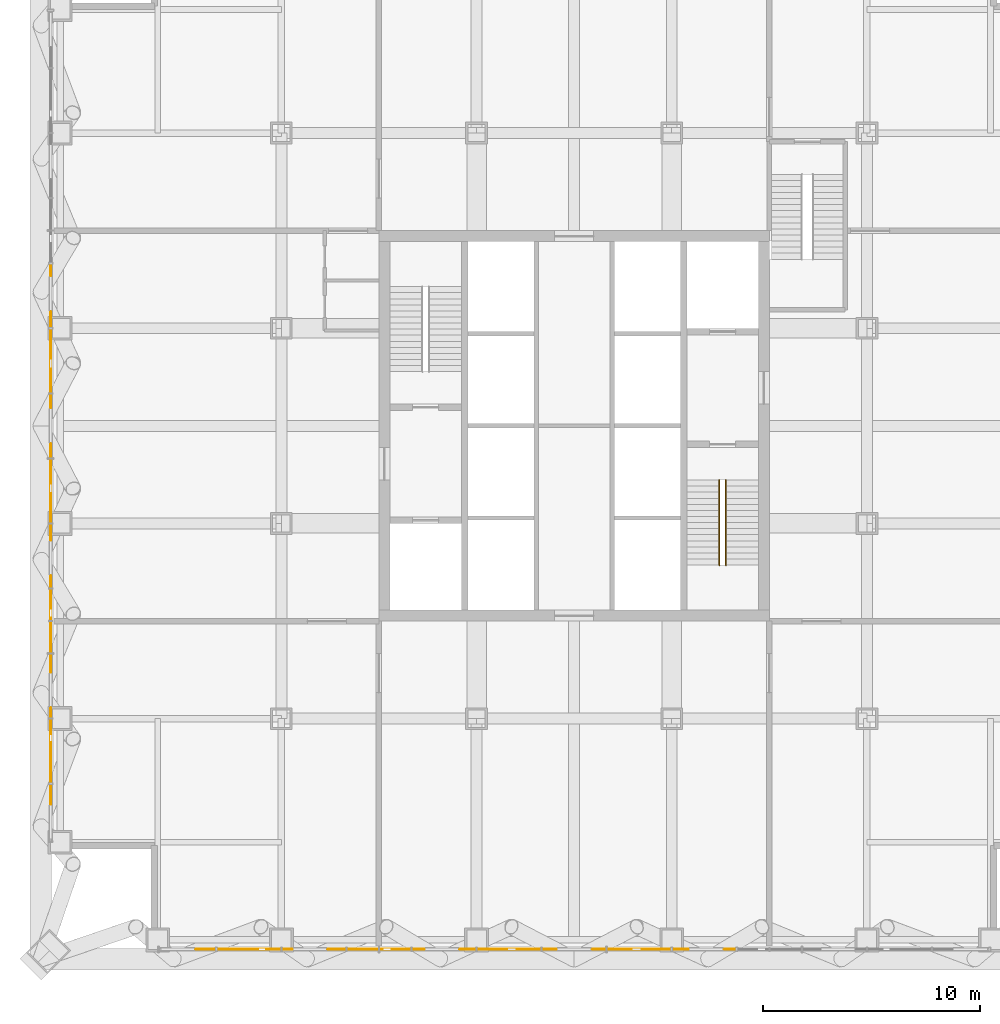
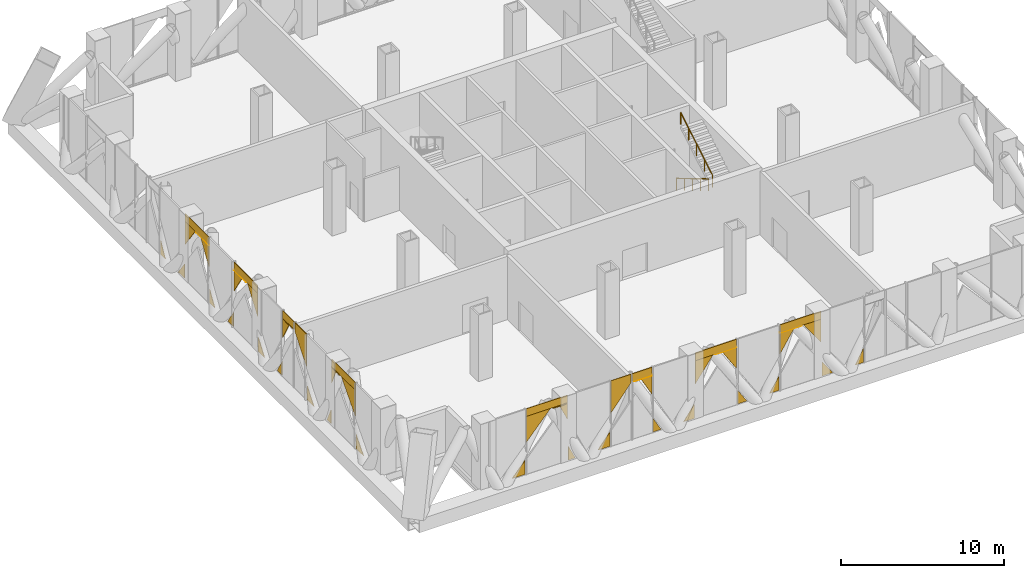
# One storey, part 16 of 29: 50 coverings, 2 railings.
"""IFC4 building model written with IfcOpenShell, lengths in metres."""

from ifc_helpers import new_model, si_unit, direction, frame, origin, origin_2d, place, context, subcontext, project, spatial, polyline, circle, outline, extrude, material, layer, layer_set, type_object, element, save


model = new_model("IFC4")

# Units and contexts
model_context = context("Model", 3, precision=1e-05, world=origin(), true_north=direction((0.0, 1.0)))
body_context = subcontext(model_context, "Body", "Model", "MODEL_VIEW")
ifc_project = project(units=[si_unit("LENGTHUNIT", "METRE"), si_unit("AREAUNIT", "SQUARE_METRE"), si_unit("VOLUMEUNIT", "CUBIC_METRE"), si_unit("PLANEANGLEUNIT", "RADIAN"), si_unit("MASSUNIT", "GRAM", prefix="KILO")], contexts=[model_context])

# Site, building, storey
site_placement = place(None, origin())
site = spatial("IfcSite", under=ifc_project, at=site_placement, CompositionType="ELEMENT")
building_placement = place(site_placement, origin())
building = spatial("IfcBuilding", under=site, at=building_placement, Name="Malebo Sky Hospital", CompositionType="ELEMENT")
storey_placement = place(building_placement, frame((0.0, 0.0, 172.0)))
storey = spatial("IfcBuildingStorey", under=building, at=storey_placement, Name="L41", CompositionType="ELEMENT", Elevation=172.0)

# Coverings
ifc_material_1 = material(Name="Anodised aluminium, natural silver insulated infill panel", Category="aluminium")
ifc_layer = layer(ifc_material_1, 0.0400390625)
ifc_layer_set = layer_set([ifc_layer], Name="BRACE INFILL PANEL 40")
covering_type = type_object("IfcCoveringType", Name="BRACE INFILL PANEL 40", PredefinedType="CLADDING", material=ifc_layer_set)
covering_1_placement = place(storey_placement, frame((35.864990234375, 44.998046875, 0.10009765625), z_axis=(0.0, 0.0, 1.0), x_axis=(0.0, 1.0, 0.0)))
element("IfcCovering", 1, at=covering_1_placement, inside=storey, type_object=covering_type, Name="Brace infill panel 1.1", PredefinedType="CLADDING", context=body_context, shape_type="SweptSolid", body=[
    extrude(outline(polyline([(-0.46435546875, 0.0), (0.46435546875, 0.0), (0.46435546875, 1.052978515625), (-0.46435546875, 0.0)])), frame((0.0, 0.02001953125, 0.0), z_axis=(0.0, -1.0, 0.0), x_axis=(1.0, 0.0, 0.0)), (0.0, 0.0, 1.0), 0.0400390625),
])
covering_2_placement = place(storey_placement, frame((35.864990234375, 46.397216796875, 2.46923828125), z_axis=(0.0, 0.0, 1.0), x_axis=(0.0, 1.0, 0.0)))
element("IfcCovering", 2, at=covering_2_placement, inside=storey, type_object=covering_type, Name="Brace infill panel 2.1", PredefinedType="CLADDING", context=body_context, shape_type="SweptSolid", body=[
    extrude(outline(polyline([(-0.85986328125, 0.0), (0.859619140625, 1.94970703125), (-0.85986328125, 1.94970703125), (-0.85986328125, 0.0)])), frame((0.0, 0.02001953125, 0.0), z_axis=(0.0, -1.0, 0.0), x_axis=(1.0, 0.0, 0.0)), (0.0, 0.0, 1.0), 0.0400390625),
])
covering_3_placement = place(storey_placement, frame((35.864990234375, 48.189208984375, 3.1884765625), z_axis=(0.0, 0.0, 1.0), x_axis=(0.0, 1.0, 0.0)))
element("IfcCovering", 3, at=covering_3_placement, inside=storey, type_object=covering_type, Name="Brace infill panel 2.2", PredefinedType="CLADDING", context=body_context, shape_type="SweptSolid", body=[
    extrude(outline(polyline([(0.2734375, 0.0), (0.2734375, 1.1640625), (-0.2734375, 1.1640625), (0.2734375, 0.0)])), frame((0.0, 0.02001953125, 0.0), z_axis=(0.0, -1.0, 0.0), x_axis=(1.0, 0.0, 0.0)), (0.0, 0.0, 1.0), 0.0400390625),
])
covering_4_placement = place(storey_placement, frame((35.864990234375, 47.0, 4.419189453125), z_axis=(0.0, 0.0, 1.0), x_axis=(0.0, 1.0, 0.0)))
element("IfcCovering", 4, at=covering_4_placement, inside=storey, type_object=covering_type, Name="Brace infill panel 2.3", PredefinedType="CLADDING", context=body_context, shape_type="SweptSolid", body=[
    extrude(outline(polyline([(-1.46240234375, 0.0), (1.46240234375, 0.0), (1.46240234375, 0.57080078125), (-1.46240234375, 0.57080078125), (-1.46240234375, 0.0)])), frame((0.0, 0.02001953125, 0.0), z_axis=(0.0, -1.0, 0.0), x_axis=(1.0, 0.0, 0.0)), (0.0, 0.0, 1.0), 0.0400390625),
])
covering_5_placement = place(storey_placement, frame((35.864990234375, 47.9208984375, 4.3525390625), z_axis=(0.0, 0.0, 1.0), x_axis=(0.0, 1.0, 0.0)))
element("IfcCovering", 5, at=covering_5_placement, inside=storey, type_object=covering_type, Name="Brace infill panel 2.5", PredefinedType="CLADDING", context=body_context, shape_type="SweptSolid", body=[
    extrude(outline(polyline([(-0.441162109375, 0.0), (0.54150390625, 0.0), (0.54150390625, 0.066650390625), (-0.54150390625, 0.066650390625), (-0.441162109375, 0.0)])), frame((0.0, 0.02001953125, 0.0), z_axis=(0.0, -1.0, 0.0), x_axis=(1.0, 0.0, 0.0)), (0.0, 0.0, 1.0), 0.0400390625),
])
covering_6_placement = place(storey_placement, frame((35.864990234375, 48.777099609375, 0.10009765625), z_axis=(0.0, 0.0, 1.0), x_axis=(0.0, 1.0, 0.0)))
element("IfcCovering", 6, at=covering_6_placement, inside=storey, type_object=covering_type, Name="Brace infill panel 3.1", PredefinedType="CLADDING", context=body_context, shape_type="SweptSolid", body=[
    extrude(outline(polyline([(-0.23974609375, 0.0), (0.239501953125, 0.0), (-0.23974609375, 1.020263671875), (-0.23974609375, 0.0)])), frame((0.0, 0.02001953125, 0.0), z_axis=(0.0, -1.0, 0.0), x_axis=(1.0, 0.0, 0.0)), (0.0, 0.0, 1.0), 0.0400390625),
])
covering_7_placement = place(storey_placement, frame((35.864990234375, 51.042724609375, 0.099853515625), z_axis=(0.0, 0.0, 1.0), x_axis=(0.0, 1.0, 0.0)))
element("IfcCovering", 7, at=covering_7_placement, inside=storey, type_object=covering_type, Name="Brace infill panel 3.2", PredefinedType="CLADDING", context=body_context, shape_type="SweptSolid", body=[
    extrude(outline(polyline([(-0.419921875, 0.0), (0.419921875, 0.0), (0.419921875, 1.05029296875), (-0.419921875, 0.0)])), frame((0.0, 0.02001953125, 0.0), z_axis=(0.0, -1.0, 0.0), x_axis=(1.0, 0.0, 0.0)), (0.0, 0.0, 1.0), 0.0400390625),
])
covering_8_placement = place(storey_placement, frame((35.864990234375, 52.25, 2.552978515625), z_axis=(0.0, 0.0, 1.0), x_axis=(0.0, 1.0, 0.0)))
element("IfcCovering", 8, at=covering_8_placement, inside=storey, type_object=covering_type, Name="Brace infill panel 4.1", PredefinedType="CLADDING", context=body_context, shape_type="SweptSolid", body=[
    extrude(outline(polyline([(-0.71240234375, 0.0), (0.71240234375, 1.782470703125), (0.71240234375, 2.43701171875), (-0.71240234375, 2.43701171875), (-0.71240234375, 0.0)])), frame((0.0, 0.02001953125, 0.0), z_axis=(0.0, -1.0, 0.0), x_axis=(1.0, 0.0, 0.0)), (0.0, 0.0, 1.0), 0.0400390625),
])
covering_9_placement = place(storey_placement, frame((35.864990234375, 54.073486328125, 2.95947265625), z_axis=(0.0, 0.0, 1.0), x_axis=(0.0, 1.0, 0.0)))
element("IfcCovering", 9, at=covering_9_placement, inside=storey, type_object=covering_type, Name="Brace infill panel 5.1", PredefinedType="CLADDING", context=body_context, shape_type="SweptSolid", body=[
    extrude(outline(polyline([(0.388916015625, 0.0), (0.388916015625, 1.408447265625), (-0.388916015625, 1.408447265625), (0.388916015625, 0.0)])), frame((0.0, 0.02001953125, 0.0), z_axis=(0.0, -1.0, 0.0), x_axis=(1.0, 0.0, 0.0)), (0.0, 0.0, 1.0), 0.0400390625),
])
covering_10_placement = place(storey_placement, frame((35.864990234375, 53.75, 4.407958984375), z_axis=(0.0, 0.0, 1.0), x_axis=(0.0, 1.0, 0.0)))
element("IfcCovering", 10, at=covering_10_placement, inside=storey, type_object=covering_type, Name="Brace infill panel 5.2", PredefinedType="CLADDING", context=body_context, shape_type="SweptSolid", body=[
    extrude(outline(polyline([(-0.71240234375, 0.0), (0.71240234375, 0.0), (0.71240234375, 0.58203125), (-0.71240234375, 0.58203125), (-0.71240234375, 0.0)])), frame((0.0, 0.02001953125, 0.0), z_axis=(0.0, -1.0, 0.0), x_axis=(1.0, 0.0, 0.0)), (0.0, 0.0, 1.0), 0.0400390625),
])
covering_11_placement = place(storey_placement, frame((35.864990234375, 53.807373046875, 4.36767578125), z_axis=(0.0, 0.0, 1.0), x_axis=(0.0, 1.0, 0.0)))
element("IfcCovering", 11, at=covering_11_placement, inside=storey, type_object=covering_type, Name="Brace infill panel 5.4", PredefinedType="CLADDING", context=body_context, shape_type="SweptSolid", body=[
    extrude(outline(polyline([(-0.5888671875, 0.0), (0.6552734375, 0.0), (0.6552734375, 0.040283203125), (-0.6552734375, 0.040283203125), (-0.5888671875, 0.0)])), frame((0.0, 0.02001953125, 0.0), z_axis=(0.0, -1.0, 0.0), x_axis=(1.0, 0.0, 0.0)), (0.0, 0.0, 1.0), 0.0400390625),
])
covering_12_placement = place(storey_placement, frame((35.864990234375, 54.822021484375, 0.10009765625), z_axis=(0.0, 0.0, 1.0), x_axis=(0.0, 1.0, 0.0)))
element("IfcCovering", 12, at=covering_12_placement, inside=storey, type_object=covering_type, Name="Brace infill panel 6.1", PredefinedType="CLADDING", context=body_context, shape_type="SweptSolid", body=[
    extrude(outline(polyline([(-0.284423828125, 0.0), (0.284423828125, 0.0), (-0.284423828125, 1.0302734375), (-0.284423828125, 0.0)])), frame((0.0, 0.02001953125, 0.0), z_axis=(0.0, -1.0, 0.0), x_axis=(1.0, 0.0, 0.0)), (0.0, 0.0, 1.0), 0.0400390625),
])
covering_13_placement = place(storey_placement, frame((35.864990234375, 57.087646484375, 0.10009765625), z_axis=(0.0, 0.0, 1.0), x_axis=(0.0, 1.0, 0.0)))
element("IfcCovering", 13, at=covering_13_placement, inside=storey, type_object=covering_type, Name="Brace infill panel 6.2", PredefinedType="CLADDING", context=body_context, shape_type="SweptSolid", body=[
    extrude(outline(polyline([(-0.374755859375, 0.0), (0.374755859375, 0.0), (0.374755859375, 1.04541015625), (-0.374755859375, 0.0)])), frame((0.0, 0.02001953125, 0.0), z_axis=(0.0, -1.0, 0.0), x_axis=(1.0, 0.0, 0.0)), (0.0, 0.0, 1.0), 0.0400390625),
])
covering_14_placement = place(storey_placement, frame((35.864990234375, 58.160888671875, 2.65673828125), z_axis=(0.0, 0.0, 1.0), x_axis=(0.0, 1.0, 0.0)))
element("IfcCovering", 14, at=covering_14_placement, inside=storey, type_object=covering_type, Name="Brace infill panel 7.1", PredefinedType="CLADDING", context=body_context, shape_type="SweptSolid", body=[
    extrude(outline(polyline([(-0.62353515625, 0.0), (0.623291015625, 1.739013671875), (-0.62353515625, 1.739013671875), (-0.62353515625, 0.0)])), frame((0.0, 0.02001953125, 0.0), z_axis=(0.0, -1.0, 0.0), x_axis=(1.0, 0.0, 0.0)), (0.0, 0.0, 1.0), 0.0400390625),
])
covering_15_placement = place(storey_placement, frame((35.864990234375, 59.956787109375, 2.788330078125), z_axis=(0.0, 0.0, 1.0), x_axis=(0.0, 1.0, 0.0)))
element("IfcCovering", 15, at=covering_15_placement, inside=storey, type_object=covering_type, Name="Brace infill panel 7.2", PredefinedType="CLADDING", context=body_context, shape_type="SweptSolid", body=[
    extrude(outline(polyline([(0.505615234375, 0.0), (0.505615234375, 1.59375), (-0.505615234375, 1.59375), (0.505615234375, 0.0)])), frame((0.0, 0.02001953125, 0.0), z_axis=(0.0, -1.0, 0.0), x_axis=(1.0, 0.0, 0.0)), (0.0, 0.0, 1.0), 0.0400390625),
])
covering_16_placement = place(storey_placement, frame((35.864990234375, 59.0, 4.3955078125), z_axis=(0.0, 0.0, 1.0), x_axis=(0.0, 1.0, 0.0)))
element("IfcCovering", 16, at=covering_16_placement, inside=storey, type_object=covering_type, Name="Brace infill panel 7.3", PredefinedType="CLADDING", context=body_context, shape_type="SweptSolid", body=[
    extrude(outline(polyline([(-1.46240234375, 0.0), (1.46240234375, 0.0), (1.46240234375, 0.594482421875), (-1.46240234375, 0.594482421875), (-1.46240234375, 0.0)])), frame((0.0, 0.02001953125, 0.0), z_axis=(0.0, -1.0, 0.0), x_axis=(1.0, 0.0, 0.0)), (0.0, 0.0, 1.0), 0.0400390625),
])
covering_17_placement = place(storey_placement, frame((35.864990234375, 59.694580078125, 4.38232421875), z_axis=(0.0, 0.0, 1.0), x_axis=(0.0, 1.0, 0.0)))
element("IfcCovering", 17, at=covering_17_placement, inside=storey, type_object=covering_type, Name="Brace infill panel 7.5", PredefinedType="CLADDING", context=body_context, shape_type="SweptSolid", body=[
    extrude(outline(polyline([(-0.7431640625, 0.0), (0.767822265625, 0.0), (0.767822265625, 0.013427734375), (-0.767578125, 0.013427734375), (-0.7431640625, 0.0)])), frame((0.0, 0.02001953125, 0.0), z_axis=(0.0, -1.0, 0.0), x_axis=(1.0, 0.0, 0.0)), (0.0, 0.0, 1.0), 0.0400390625),
])
covering_18_placement = place(storey_placement, frame((35.864990234375, 60.8671875, 0.10009765625), z_axis=(0.0, 0.0, 1.0), x_axis=(0.0, 1.0, 0.0)))
element("IfcCovering", 18, at=covering_18_placement, inside=storey, type_object=covering_type, Name="Brace infill panel 8.1", PredefinedType="CLADDING", context=body_context, shape_type="SweptSolid", body=[
    extrude(outline(polyline([(-0.32958984375, 0.0), (0.32958984375, 0.0), (-0.32958984375, 1.038818359375), (-0.32958984375, 0.0)])), frame((0.0, 0.02001953125, 0.0), z_axis=(0.0, -1.0, 0.0), x_axis=(1.0, 0.0, 0.0)), (0.0, 0.0, 1.0), 0.0400390625),
])
covering_19_placement = place(storey_placement, frame((35.864990234375, 63.1328125, 0.10009765625), z_axis=(0.0, 0.0, 1.0), x_axis=(0.0, 1.0, 0.0)))
element("IfcCovering", 19, at=covering_19_placement, inside=storey, type_object=covering_type, Name="Brace infill panel 8.2", PredefinedType="CLADDING", context=body_context, shape_type="SweptSolid", body=[
    extrude(outline(polyline([(-0.32958984375, 0.0), (0.32958984375, 0.0), (0.32958984375, 1.038818359375), (-0.32958984375, 0.0)])), frame((0.0, 0.02001953125, 0.0), z_axis=(0.0, -1.0, 0.0), x_axis=(1.0, 0.0, 0.0)), (0.0, 0.0, 1.0), 0.0400390625),
])
covering_20_placement = place(storey_placement, frame((35.864990234375, 65.839111328125, 2.65673828125), z_axis=(0.0, 0.0, 1.0), x_axis=(0.0, 1.0, 0.0)))
element("IfcCovering", 20, at=covering_20_placement, inside=storey, type_object=covering_type, Name="Brace infill panel 9.1", PredefinedType="CLADDING", context=body_context, shape_type="SweptSolid", body=[
    extrude(outline(polyline([(0.62353515625, 0.0), (0.62353515625, 1.739013671875), (-0.623291015625, 1.739013671875), (0.62353515625, 0.0)])), frame((0.0, 0.02001953125, 0.0), z_axis=(0.0, -1.0, 0.0), x_axis=(1.0, 0.0, 0.0)), (0.0, 0.0, 1.0), 0.0400390625),
])
covering_21_placement = place(storey_placement, frame((35.864990234375, 64.043212890625, 2.788330078125), z_axis=(0.0, 0.0, 1.0), x_axis=(0.0, 1.0, 0.0)))
element("IfcCovering", 21, at=covering_21_placement, inside=storey, type_object=covering_type, Name="Brace infill panel 9.2", PredefinedType="CLADDING", context=body_context, shape_type="SweptSolid", body=[
    extrude(outline(polyline([(-0.505615234375, 0.0), (0.505615234375, 1.59375), (-0.505615234375, 1.59375), (-0.505615234375, 0.0)])), frame((0.0, 0.02001953125, 0.0), z_axis=(0.0, -1.0, 0.0), x_axis=(1.0, 0.0, 0.0)), (0.0, 0.0, 1.0), 0.0400390625),
])
covering_22_placement = place(storey_placement, frame((35.864990234375, 65.0, 4.3955078125), z_axis=(0.0, 0.0, 1.0), x_axis=(0.0, 1.0, 0.0)))
element("IfcCovering", 22, at=covering_22_placement, inside=storey, type_object=covering_type, Name="Brace infill panel 9.3", PredefinedType="CLADDING", context=body_context, shape_type="SweptSolid", body=[
    extrude(outline(polyline([(-1.46240234375, 0.0), (1.46240234375, 0.0), (1.46240234375, 0.594482421875), (-1.46240234375, 0.594482421875), (-1.46240234375, 0.0)])), frame((0.0, 0.02001953125, 0.0), z_axis=(0.0, -1.0, 0.0), x_axis=(1.0, 0.0, 0.0)), (0.0, 0.0, 1.0), 0.0400390625),
])
covering_23_placement = place(storey_placement, frame((35.864990234375, 64.305419921875, 4.38232421875), z_axis=(0.0, 0.0, 1.0), x_axis=(0.0, 1.0, 0.0)))
element("IfcCovering", 23, at=covering_23_placement, inside=storey, type_object=covering_type, Name="Brace infill panel 9.5", PredefinedType="CLADDING", context=body_context, shape_type="SweptSolid", body=[
    extrude(outline(polyline([(-0.767822265625, 0.0), (0.7431640625, 0.0), (0.767578125, 0.013427734375), (-0.767822265625, 0.013427734375), (-0.767822265625, 0.0)])), frame((0.0, 0.02001953125, 0.0), z_axis=(0.0, -1.0, 0.0), x_axis=(1.0, 0.0, 0.0)), (0.0, 0.0, 1.0), 0.0400390625),
])
covering_24_placement = place(storey_placement, frame((35.864990234375, 66.912353515625, 0.10009765625), z_axis=(0.0, 0.0, 1.0), x_axis=(0.0, 1.0, 0.0)))
element("IfcCovering", 24, at=covering_24_placement, inside=storey, type_object=covering_type, Name="Brace infill panel 10.1", PredefinedType="CLADDING", context=body_context, shape_type="SweptSolid", body=[
    extrude(outline(polyline([(-0.374755859375, 0.0), (0.374755859375, 0.0), (-0.374755859375, 1.04541015625), (-0.374755859375, 0.0)])), frame((0.0, 0.02001953125, 0.0), z_axis=(0.0, -1.0, 0.0), x_axis=(1.0, 0.0, 0.0)), (0.0, 0.0, 1.0), 0.0400390625),
])
covering_25_placement = place(storey_placement, frame((35.864990234375, 69.177978515625, 0.10009765625), z_axis=(0.0, 0.0, 1.0), x_axis=(0.0, 1.0, 0.0)))
element("IfcCovering", 25, at=covering_25_placement, inside=storey, type_object=covering_type, Name="Brace infill panel 10.2", PredefinedType="CLADDING", context=body_context, shape_type="SweptSolid", body=[
    extrude(outline(polyline([(-0.284423828125, 0.0), (0.284423828125, 0.0), (0.284423828125, 1.0302734375), (-0.284423828125, 0.0)])), frame((0.0, 0.02001953125, 0.0), z_axis=(0.0, -1.0, 0.0), x_axis=(1.0, 0.0, 0.0)), (0.0, 0.0, 1.0), 0.0400390625),
])
covering_26_placement = place(storey_placement, frame((67.177978515625, 37.864990234375, 0.10009765625), z_axis=(0.0, 0.0, 1.0), x_axis=(-1.0, 0.0, 0.0)))
element("IfcCovering", 26, at=covering_26_placement, inside=storey, type_object=covering_type, Name="Brace infill panel 6.1", PredefinedType="CLADDING", context=body_context, shape_type="SweptSolid", body=[
    extrude(outline(polyline([(-0.284423828125, 0.0), (0.284423828125, 0.0), (-0.284423828125, 1.0302734375), (-0.284423828125, 0.0)])), frame((0.0, 0.02001953125, 0.0), z_axis=(0.0, -1.0, 0.0), x_axis=(1.0, 0.0, 0.0)), (0.0, 0.0, 1.0), 0.0400390625),
])
covering_27_placement = place(storey_placement, frame((64.912353515625, 37.864990234375, 0.10009765625), z_axis=(0.0, 0.0, 1.0), x_axis=(-1.0, 0.0, 0.0)))
element("IfcCovering", 27, at=covering_27_placement, inside=storey, type_object=covering_type, Name="Brace infill panel 6.2", PredefinedType="CLADDING", context=body_context, shape_type="SweptSolid", body=[
    extrude(outline(polyline([(-0.374755859375, 0.0), (0.374755859375, 0.0), (0.374755859375, 1.04541015625), (-0.374755859375, 0.0)])), frame((0.0, 0.02001953125, 0.0), z_axis=(0.0, -1.0, 0.0), x_axis=(1.0, 0.0, 0.0)), (0.0, 0.0, 1.0), 0.0400390625),
])
covering_28_placement = place(storey_placement, frame((63.839111328125, 37.864990234375, 2.65673828125), z_axis=(0.0, 0.0, 1.0), x_axis=(-1.0, 0.0, 0.0)))
element("IfcCovering", 28, at=covering_28_placement, inside=storey, type_object=covering_type, Name="Brace infill panel 7.1", PredefinedType="CLADDING", context=body_context, shape_type="SweptSolid", body=[
    extrude(outline(polyline([(-0.62353515625, 0.0), (0.623291015625, 1.739013671875), (-0.62353515625, 1.739013671875), (-0.62353515625, 0.0)])), frame((0.0, 0.02001953125, 0.0), z_axis=(0.0, -1.0, 0.0), x_axis=(1.0, 0.0, 0.0)), (0.0, 0.0, 1.0), 0.0400390625),
])
covering_29_placement = place(storey_placement, frame((62.043212890625, 37.864990234375, 2.788330078125), z_axis=(0.0, 0.0, 1.0), x_axis=(-1.0, 0.0, 0.0)))
element("IfcCovering", 29, at=covering_29_placement, inside=storey, type_object=covering_type, Name="Brace infill panel 7.2", PredefinedType="CLADDING", context=body_context, shape_type="SweptSolid", body=[
    extrude(outline(polyline([(0.505615234375, 0.0), (0.505615234375, 1.59375), (-0.505615234375, 1.59375), (0.505615234375, 0.0)])), frame((0.0, 0.02001953125, 0.0), z_axis=(0.0, -1.0, 0.0), x_axis=(1.0, 0.0, 0.0)), (0.0, 0.0, 1.0), 0.0400390625),
])
covering_30_placement = place(storey_placement, frame((63.0, 37.864990234375, 4.3955078125), z_axis=(0.0, 0.0, 1.0), x_axis=(-1.0, 0.0, 0.0)))
element("IfcCovering", 30, at=covering_30_placement, inside=storey, type_object=covering_type, Name="Brace infill panel 7.3", PredefinedType="CLADDING", context=body_context, shape_type="SweptSolid", body=[
    extrude(outline(polyline([(-1.46240234375, 0.0), (1.46240234375, 0.0), (1.46240234375, 0.594482421875), (-1.46240234375, 0.594482421875), (-1.46240234375, 0.0)])), frame((0.0, 0.02001953125, 0.0), z_axis=(0.0, -1.0, 0.0), x_axis=(1.0, 0.0, 0.0)), (0.0, 0.0, 1.0), 0.0400390625),
])
covering_31_placement = place(storey_placement, frame((62.305419921875, 37.864990234375, 4.38232421875), z_axis=(0.0, 0.0, 1.0), x_axis=(-1.0, 0.0, 0.0)))
element("IfcCovering", 31, at=covering_31_placement, inside=storey, type_object=covering_type, Name="Brace infill panel 7.5", PredefinedType="CLADDING", context=body_context, shape_type="SweptSolid", body=[
    extrude(outline(polyline([(-0.7431640625, 0.0), (0.767822265625, 0.0), (0.767822265625, 0.013427734375), (-0.767578125, 0.013427734375), (-0.7431640625, 0.0)])), frame((0.0, 0.02001953125, 0.0), z_axis=(0.0, -1.0, 0.0), x_axis=(1.0, 0.0, 0.0)), (0.0, 0.0, 1.0), 0.0400390625),
])
covering_32_placement = place(storey_placement, frame((61.1328125, 37.864990234375, 0.10009765625), z_axis=(0.0, 0.0, 1.0), x_axis=(-1.0, 0.0, 0.0)))
element("IfcCovering", 32, at=covering_32_placement, inside=storey, type_object=covering_type, Name="Brace infill panel 8.1", PredefinedType="CLADDING", context=body_context, shape_type="SweptSolid", body=[
    extrude(outline(polyline([(-0.32958984375, 0.0), (0.32958984375, 0.0), (-0.32958984375, 1.038818359375), (-0.32958984375, 0.0)])), frame((0.0, 0.02001953125, 0.0), z_axis=(0.0, -1.0, 0.0), x_axis=(1.0, 0.0, 0.0)), (0.0, 0.0, 1.0), 0.0400390625),
])
covering_33_placement = place(storey_placement, frame((58.8671875, 37.864990234375, 0.10009765625), z_axis=(0.0, 0.0, 1.0), x_axis=(-1.0, 0.0, 0.0)))
element("IfcCovering", 33, at=covering_33_placement, inside=storey, type_object=covering_type, Name="Brace infill panel 8.2", PredefinedType="CLADDING", context=body_context, shape_type="SweptSolid", body=[
    extrude(outline(polyline([(-0.32958984375, 0.0), (0.32958984375, 0.0), (0.32958984375, 1.038818359375), (-0.32958984375, 0.0)])), frame((0.0, 0.02001953125, 0.0), z_axis=(0.0, -1.0, 0.0), x_axis=(1.0, 0.0, 0.0)), (0.0, 0.0, 1.0), 0.0400390625),
])
covering_34_placement = place(storey_placement, frame((56.160888671875, 37.864990234375, 2.65673828125), z_axis=(0.0, 0.0, 1.0), x_axis=(-1.0, 0.0, 0.0)))
element("IfcCovering", 34, at=covering_34_placement, inside=storey, type_object=covering_type, Name="Brace infill panel 9.1", PredefinedType="CLADDING", context=body_context, shape_type="SweptSolid", body=[
    extrude(outline(polyline([(0.62353515625, 0.0), (0.62353515625, 1.739013671875), (-0.623291015625, 1.739013671875), (0.62353515625, 0.0)])), frame((0.0, 0.02001953125, 0.0), z_axis=(0.0, -1.0, 0.0), x_axis=(1.0, 0.0, 0.0)), (0.0, 0.0, 1.0), 0.0400390625),
])
covering_35_placement = place(storey_placement, frame((57.956787109375, 37.864990234375, 2.788330078125), z_axis=(0.0, 0.0, 1.0), x_axis=(-1.0, 0.0, 0.0)))
element("IfcCovering", 35, at=covering_35_placement, inside=storey, type_object=covering_type, Name="Brace infill panel 9.2", PredefinedType="CLADDING", context=body_context, shape_type="SweptSolid", body=[
    extrude(outline(polyline([(-0.505615234375, 0.0), (0.505615234375, 1.59375), (-0.505615234375, 1.59375), (-0.505615234375, 0.0)])), frame((0.0, 0.02001953125, 0.0), z_axis=(0.0, -1.0, 0.0), x_axis=(1.0, 0.0, 0.0)), (0.0, 0.0, 1.0), 0.0400390625),
])
covering_36_placement = place(storey_placement, frame((57.0, 37.864990234375, 4.3955078125), z_axis=(0.0, 0.0, 1.0), x_axis=(-1.0, 0.0, 0.0)))
element("IfcCovering", 36, at=covering_36_placement, inside=storey, type_object=covering_type, Name="Brace infill panel 9.3", PredefinedType="CLADDING", context=body_context, shape_type="SweptSolid", body=[
    extrude(outline(polyline([(-1.46240234375, 0.0), (1.46240234375, 0.0), (1.46240234375, 0.594482421875), (-1.46240234375, 0.594482421875), (-1.46240234375, 0.0)])), frame((0.0, 0.02001953125, 0.0), z_axis=(0.0, -1.0, 0.0), x_axis=(1.0, 0.0, 0.0)), (0.0, 0.0, 1.0), 0.0400390625),
])
covering_37_placement = place(storey_placement, frame((57.694580078125, 37.864990234375, 4.38232421875), z_axis=(0.0, 0.0, 1.0), x_axis=(-1.0, 0.0, 0.0)))
element("IfcCovering", 37, at=covering_37_placement, inside=storey, type_object=covering_type, Name="Brace infill panel 9.5", PredefinedType="CLADDING", context=body_context, shape_type="SweptSolid", body=[
    extrude(outline(polyline([(-0.767822265625, 0.0), (0.7431640625, 0.0), (0.767578125, 0.013427734375), (-0.767822265625, 0.013427734375), (-0.767822265625, 0.0)])), frame((0.0, 0.02001953125, 0.0), z_axis=(0.0, -1.0, 0.0), x_axis=(1.0, 0.0, 0.0)), (0.0, 0.0, 1.0), 0.0400390625),
])
covering_38_placement = place(storey_placement, frame((55.087646484375, 37.864990234375, 0.10009765625), z_axis=(0.0, 0.0, 1.0), x_axis=(-1.0, 0.0, 0.0)))
element("IfcCovering", 38, at=covering_38_placement, inside=storey, type_object=covering_type, Name="Brace infill panel 10.1", PredefinedType="CLADDING", context=body_context, shape_type="SweptSolid", body=[
    extrude(outline(polyline([(-0.374755859375, 0.0), (0.374755859375, 0.0), (-0.374755859375, 1.04541015625), (-0.374755859375, 0.0)])), frame((0.0, 0.02001953125, 0.0), z_axis=(0.0, -1.0, 0.0), x_axis=(1.0, 0.0, 0.0)), (0.0, 0.0, 1.0), 0.0400390625),
])
covering_39_placement = place(storey_placement, frame((52.822021484375, 37.864990234375, 0.10009765625), z_axis=(0.0, 0.0, 1.0), x_axis=(-1.0, 0.0, 0.0)))
element("IfcCovering", 39, at=covering_39_placement, inside=storey, type_object=covering_type, Name="Brace infill panel 10.2", PredefinedType="CLADDING", context=body_context, shape_type="SweptSolid", body=[
    extrude(outline(polyline([(-0.284423828125, 0.0), (0.284423828125, 0.0), (0.284423828125, 1.0302734375), (-0.284423828125, 0.0)])), frame((0.0, 0.02001953125, 0.0), z_axis=(0.0, -1.0, 0.0), x_axis=(1.0, 0.0, 0.0)), (0.0, 0.0, 1.0), 0.0400390625),
])
covering_40_placement = place(storey_placement, frame((52.073486328125, 37.864990234375, 2.95947265625), z_axis=(0.0, 0.0, 1.0), x_axis=(-1.0, 0.0, 0.0)))
element("IfcCovering", 40, at=covering_40_placement, inside=storey, type_object=covering_type, Name="Brace infill panel 11.1", PredefinedType="CLADDING", context=body_context, shape_type="SweptSolid", body=[
    extrude(outline(polyline([(-0.388916015625, 0.0), (0.388916015625, 1.408447265625), (-0.388916015625, 1.408447265625), (-0.388916015625, 0.0)])), frame((0.0, 0.02001953125, 0.0), z_axis=(0.0, -1.0, 0.0), x_axis=(1.0, 0.0, 0.0)), (0.0, 0.0, 1.0), 0.0400390625),
])
covering_41_placement = place(storey_placement, frame((51.75, 37.864990234375, 4.407958984375), z_axis=(0.0, 0.0, 1.0), x_axis=(-1.0, 0.0, 0.0)))
element("IfcCovering", 41, at=covering_41_placement, inside=storey, type_object=covering_type, Name="Brace infill panel 11.2", PredefinedType="CLADDING", context=body_context, shape_type="SweptSolid", body=[
    extrude(outline(polyline([(-0.71240234375, 0.0), (0.71240234375, 0.0), (0.71240234375, 0.58203125), (-0.71240234375, 0.58203125), (-0.71240234375, 0.0)])), frame((0.0, 0.02001953125, 0.0), z_axis=(0.0, -1.0, 0.0), x_axis=(1.0, 0.0, 0.0)), (0.0, 0.0, 1.0), 0.0400390625),
])
covering_42_placement = place(storey_placement, frame((51.807373046875, 37.864990234375, 4.36767578125), z_axis=(0.0, 0.0, 1.0), x_axis=(-1.0, 0.0, 0.0)))
element("IfcCovering", 42, at=covering_42_placement, inside=storey, type_object=covering_type, Name="Brace infill panel 11.4", PredefinedType="CLADDING", context=body_context, shape_type="SweptSolid", body=[
    extrude(outline(polyline([(-0.6552734375, 0.0), (0.5888671875, 0.0), (0.6552734375, 0.040283203125), (-0.6552734375, 0.040283203125), (-0.6552734375, 0.0)])), frame((0.0, 0.02001953125, 0.0), z_axis=(0.0, -1.0, 0.0), x_axis=(1.0, 0.0, 0.0)), (0.0, 0.0, 1.0), 0.0400390625),
])
covering_43_placement = place(storey_placement, frame((50.25, 37.864990234375, 2.552978515625), z_axis=(0.0, 0.0, 1.0), x_axis=(-1.0, 0.0, 0.0)))
element("IfcCovering", 43, at=covering_43_placement, inside=storey, type_object=covering_type, Name="Brace infill panel 12.1", PredefinedType="CLADDING", context=body_context, shape_type="SweptSolid", body=[
    extrude(outline(polyline([(0.71240234375, 0.0), (0.71240234375, 2.43701171875), (-0.71240234375, 2.43701171875), (-0.71240234375, 1.782470703125), (0.71240234375, 0.0)])), frame((0.0, 0.02001953125, 0.0), z_axis=(0.0, -1.0, 0.0), x_axis=(1.0, 0.0, 0.0)), (0.0, 0.0, 1.0), 0.0400390625),
])
covering_44_placement = place(storey_placement, frame((49.042724609375, 37.864990234375, 0.099853515625), z_axis=(0.0, 0.0, 1.0), x_axis=(-1.0, 0.0, 0.0)))
element("IfcCovering", 44, at=covering_44_placement, inside=storey, type_object=covering_type, Name="Brace infill panel 13.1", PredefinedType="CLADDING", context=body_context, shape_type="SweptSolid", body=[
    extrude(outline(polyline([(-0.419921875, 0.0), (0.419921875, 0.0), (-0.419921875, 1.05029296875), (-0.419921875, 0.0)])), frame((0.0, 0.02001953125, 0.0), z_axis=(0.0, -1.0, 0.0), x_axis=(1.0, 0.0, 0.0)), (0.0, 0.0, 1.0), 0.0400390625),
])
covering_45_placement = place(storey_placement, frame((46.777099609375, 37.864990234375, 0.10009765625), z_axis=(0.0, 0.0, 1.0), x_axis=(-1.0, 0.0, 0.0)))
element("IfcCovering", 45, at=covering_45_placement, inside=storey, type_object=covering_type, Name="Brace infill panel 13.2", PredefinedType="CLADDING", context=body_context, shape_type="SweptSolid", body=[
    extrude(outline(polyline([(-0.239501953125, 0.0), (0.23974609375, 0.0), (0.23974609375, 1.020263671875), (-0.239501953125, 0.0)])), frame((0.0, 0.02001953125, 0.0), z_axis=(0.0, -1.0, 0.0), x_axis=(1.0, 0.0, 0.0)), (0.0, 0.0, 1.0), 0.0400390625),
])
covering_46_placement = place(storey_placement, frame((44.397216796875, 37.864990234375, 2.46923828125), z_axis=(0.0, 0.0, 1.0), x_axis=(-1.0, 0.0, 0.0)))
element("IfcCovering", 46, at=covering_46_placement, inside=storey, type_object=covering_type, Name="Brace infill panel 14.1", PredefinedType="CLADDING", context=body_context, shape_type="SweptSolid", body=[
    extrude(outline(polyline([(0.85986328125, 0.0), (0.85986328125, 1.94970703125), (-0.859619140625, 1.94970703125), (0.85986328125, 0.0)])), frame((0.0, 0.02001953125, 0.0), z_axis=(0.0, -1.0, 0.0), x_axis=(1.0, 0.0, 0.0)), (0.0, 0.0, 1.0), 0.0400390625),
])
covering_47_placement = place(storey_placement, frame((46.189208984375, 37.864990234375, 3.1884765625), z_axis=(0.0, 0.0, 1.0), x_axis=(-1.0, 0.0, 0.0)))
element("IfcCovering", 47, at=covering_47_placement, inside=storey, type_object=covering_type, Name="Brace infill panel 14.2", PredefinedType="CLADDING", context=body_context, shape_type="SweptSolid", body=[
    extrude(outline(polyline([(-0.2734375, 0.0), (0.2734375, 1.1640625), (-0.2734375, 1.1640625), (-0.2734375, 0.0)])), frame((0.0, 0.02001953125, 0.0), z_axis=(0.0, -1.0, 0.0), x_axis=(1.0, 0.0, 0.0)), (0.0, 0.0, 1.0), 0.0400390625),
])
covering_48_placement = place(storey_placement, frame((45.0, 37.864990234375, 4.419189453125), z_axis=(0.0, 0.0, 1.0), x_axis=(-1.0, 0.0, 0.0)))
element("IfcCovering", 48, at=covering_48_placement, inside=storey, type_object=covering_type, Name="Brace infill panel 14.3", PredefinedType="CLADDING", context=body_context, shape_type="SweptSolid", body=[
    extrude(outline(polyline([(-1.46240234375, 0.0), (1.46240234375, 0.0), (1.46240234375, 0.57080078125), (-1.46240234375, 0.57080078125), (-1.46240234375, 0.0)])), frame((0.0, 0.02001953125, 0.0), z_axis=(0.0, -1.0, 0.0), x_axis=(1.0, 0.0, 0.0)), (0.0, 0.0, 1.0), 0.0400390625),
])
covering_49_placement = place(storey_placement, frame((45.9208984375, 37.864990234375, 4.3525390625), z_axis=(0.0, 0.0, 1.0), x_axis=(-1.0, 0.0, 0.0)))
element("IfcCovering", 49, at=covering_49_placement, inside=storey, type_object=covering_type, Name="Brace infill panel 14.5", PredefinedType="CLADDING", context=body_context, shape_type="SweptSolid", body=[
    extrude(outline(polyline([(-0.54150390625, 0.0), (0.441162109375, 0.0), (0.54150390625, 0.066650390625), (-0.54150390625, 0.066650390625), (-0.54150390625, 0.0)])), frame((0.0, 0.02001953125, 0.0), z_axis=(0.0, -1.0, 0.0), x_axis=(1.0, 0.0, 0.0)), (0.0, 0.0, 1.0), 0.0400390625),
])
covering_50_placement = place(storey_placement, frame((42.998046875, 37.864990234375, 0.10009765625), z_axis=(0.0, 0.0, 1.0), x_axis=(-1.0, 0.0, 0.0)))
element("IfcCovering", 50, at=covering_50_placement, inside=storey, type_object=covering_type, Name="Brace infill panel 15.1", PredefinedType="CLADDING", context=body_context, shape_type="SweptSolid", body=[
    extrude(outline(polyline([(-0.46435546875, 0.0), (0.46435546875, 0.0), (-0.46435546875, 1.052978515625), (-0.46435546875, 0.0)])), frame((0.0, 0.02001953125, 0.0), z_axis=(0.0, -1.0, 0.0), x_axis=(1.0, 0.0, 0.0)), (0.0, 0.0, 1.0), 0.0400390625),
])

# Railings
ifc_material_2 = material(Name="Stainless steel tube", Category="steel")
railing_type = type_object("IfcRailingType", Name="STAIR HANDRAIL 900", PredefinedType="HANDRAIL", material=ifc_material_2)
railing_1_placement = place(storey_placement, frame((66.699951171875, 59.5, 0.166748046875)))
element("IfcRailing", 51, at=railing_1_placement, inside=storey, type_object=railing_type, Name="Stair handrail S2 flight 1", PredefinedType="HANDRAIL", context=body_context, shape_type="SweptSolid", body=[
    extrude(circle(Radius=0.02392578125, at=origin_2d()), frame((0.0, 0.0, 0.8759765625), z_axis=(0.0, -0.859296244711, 0.511478214419), x_axis=(1.0, 0.0, 0.0)), (0.0, 0.0, 1.0), 4.561767578125),
    extrude(circle(Radius=0.02099609375, at=origin_2d()), origin(), (0.0, 0.0, 1.0), 0.851806640625),
    extrude(circle(Radius=0.02099609375, at=origin_2d()), frame((0.0, -0.97998046875, 0.583251953125)), (0.0, 0.0, 1.0), 0.851806640625),
    extrude(circle(Radius=0.02099609375, at=origin_2d()), frame((0.0, -1.9599609375, 1.16650390625)), (0.0, 0.0, 1.0), 0.851806640625),
    extrude(circle(Radius=0.02099609375, at=origin_2d()), frame((0.0, -2.93994140625, 1.75)), (0.0, 0.0, 1.0), 0.851806640625),
    extrude(circle(Radius=0.02099609375, at=origin_2d()), frame((0.0, -3.919921875, 2.333251953125)), (0.0, 0.0, 1.0), 0.851806640625),
])
railing_2_placement = place(storey_placement, frame((67.0, 55.580078125, 2.666748046875)))
element("IfcRailing", 52, at=railing_2_placement, inside=storey, type_object=railing_type, Name="Stair handrail S2 flight 2", PredefinedType="HANDRAIL", context=body_context, shape_type="SweptSolid", body=[
    extrude(circle(Radius=0.02392578125, at=origin_2d()), frame((0.0, 0.0, 0.8759765625), z_axis=(0.0, 0.859296244711, 0.511478214419), x_axis=(-1.0, 0.0, 0.0)), (0.0, 0.0, 1.0), 4.561767578125),
    extrude(circle(Radius=0.02099609375, at=origin_2d()), origin(), (0.0, 0.0, 1.0), 0.851806640625),
    extrude(circle(Radius=0.02099609375, at=origin_2d()), frame((0.0, 0.97998046875, 0.583251953125)), (0.0, 0.0, 1.0), 0.851806640625),
    extrude(circle(Radius=0.02099609375, at=origin_2d()), frame((0.0, 1.9599609375, 1.16650390625)), (0.0, 0.0, 1.0), 0.851806640625),
    extrude(circle(Radius=0.02099609375, at=origin_2d()), frame((0.0, 2.93994140625, 1.75)), (0.0, 0.0, 1.0), 0.851806640625),
    extrude(circle(Radius=0.02099609375, at=origin_2d()), frame((0.0, 3.919921875, 2.333251953125)), (0.0, 0.0, 1.0), 0.851806640625),
])

save(model, "model.ifc")
